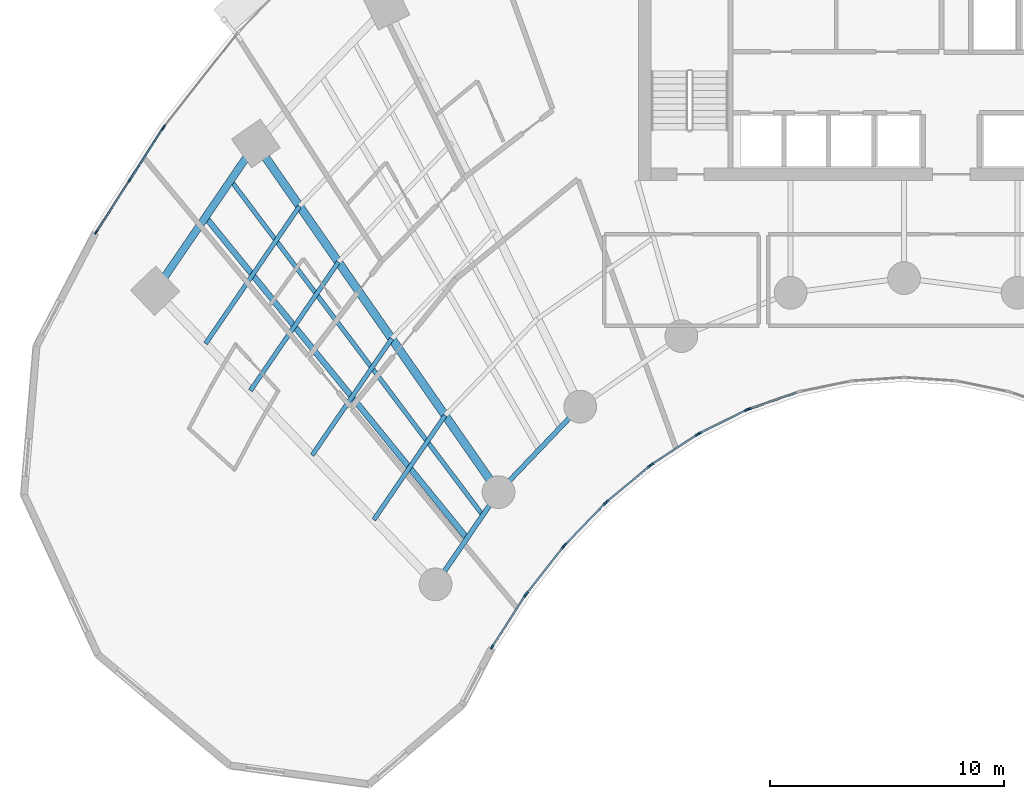
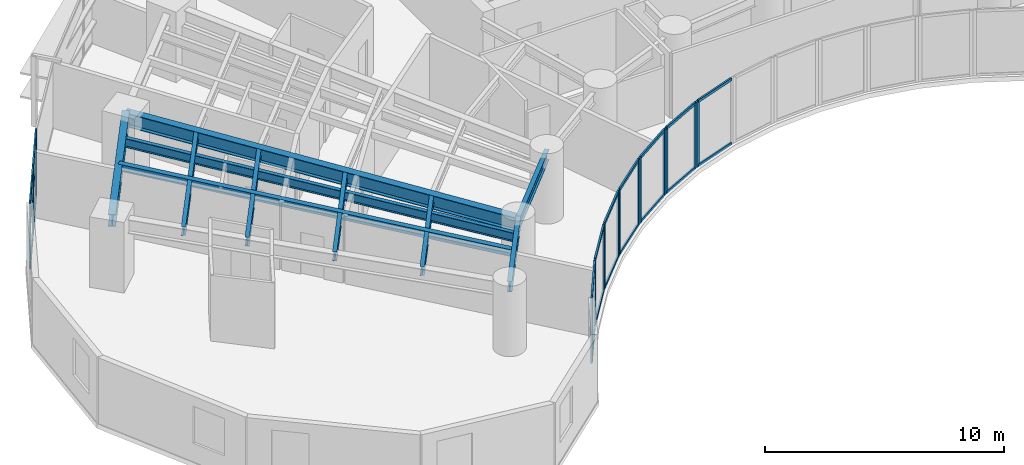
# One storey, part 2 of 17: 37 members, 10 beams, 9 elements without a shape of their own.
"""IFC4 building model written with IfcOpenShell, lengths in metres."""

import ifcopenshell
import ifcopenshell.guid

model = None  # the IFC model being written
_history = None  # IfcOwnerHistory: only IFC2X3 demands one
_inside = {}  # id of a spatial element -> (the spatial element, [elements in it])
_under = {}  # id of a project, library or spatial element -> (it, [spatial elements below it])
_declared = {}  # id of a project -> (the project, [libraries it declares])
_typed = {}  # id of a type object -> (the type object, [elements of that type])
_made_of = {}  # id of a material, layer set ... -> (it, [elements and type objects made of it])


def new_model(schema):
    """Start an empty IFC model of exactly this schema.

    Asked for "IFC4X3", IfcOpenShell would pick the latest addendum, in which some entities
    have other attributes; the version numbers below select the first issue.
    IFC2X3 requires an IfcOwnerHistory on every rooted entity: one is made here for all.
    """
    global model, _history
    if schema == "IFC4X3":
        model = ifcopenshell.file(schema_version=(4, 3, 0, 0))
    else:
        model = ifcopenshell.file(schema=schema)
    _inside.clear()
    _under.clear()
    _declared.clear()
    _typed.clear()
    _made_of.clear()
    _history = None
    if model.schema == "IFC2X3":
        org = make("IfcOrganization", Name="unknown")
        user = make(
            "IfcPersonAndOrganization",
            ThePerson=make("IfcPerson", FamilyName="unknown"),
            TheOrganization=org,
        )
        app = make(
            "IfcApplication",
            ApplicationDeveloper=org,
            Version="unknown",
            ApplicationFullName="unknown",
            ApplicationIdentifier="unknown",
        )
        _history = make(
            "IfcOwnerHistory",
            OwningUser=user,
            OwningApplication=app,
            ChangeAction="ADDED",
            CreationDate=0,
        )
    return model


def make(cls, **values):
    """One entity of the class cls with the attributes given. An attribute that is None is left unset."""
    return model.create_entity(
        cls, **{name: value for name, value in values.items() if value is not None}
    )


def rooted(cls, **values):
    """An entity with a GlobalId (a new one), such as an element, a storey or a relation."""
    return make(cls, GlobalId=ifcopenshell.guid.new(), OwnerHistory=_history, **values)


def si_unit(unit_type, name, prefix=None):
    """IfcSIUnit, for example si_unit("LENGTHUNIT", "METRE", prefix="MILLI")."""
    return make("IfcSIUnit", UnitType=unit_type, Prefix=prefix, Name=name)


def assignment(units):
    """IfcUnitAssignment: the units of a project."""
    return None if units is None else make("IfcUnitAssignment", Units=units)


def point(xyz):
    """IfcCartesianPoint."""
    return None if xyz is None else make("IfcCartesianPoint", Coordinates=xyz)


def direction(xyz):
    """IfcDirection."""
    return None if xyz is None else make("IfcDirection", DirectionRatios=xyz)


def frame(location, z_axis=None, x_axis=None):
    """IfcAxis2Placement3D, a coordinate frame: its origin and axes. An axis left out is left unset."""
    return make(
        "IfcAxis2Placement3D",
        Location=point(location),
        Axis=direction(z_axis),
        RefDirection=direction(x_axis),
    )


def frame_2d(location, x_axis=None):
    """IfcAxis2Placement2D, a coordinate frame in the plane: its origin and x axis."""
    return make(
        "IfcAxis2Placement2D", Location=point(location), RefDirection=direction(x_axis)
    )


def origin():
    """The frame at (0, 0, 0) with its axes left unset."""
    return frame((0.0, 0.0, 0.0))


def origin_2d():
    """The frame at (0, 0) in the plane with its x axis left unset."""
    return frame_2d((0.0, 0.0))


def place(relative_to, where):
    """IfcLocalPlacement: puts the frame where relative to a parent placement (None: the world)."""
    return make(
        "IfcLocalPlacement", PlacementRelTo=relative_to, RelativePlacement=where
    )


def context(
    kind, dimensions, precision=None, world=None, true_north=None, identifier=None
):
    """IfcGeometricRepresentationContext, for example the 3D "Model" context."""
    return make(
        "IfcGeometricRepresentationContext",
        ContextIdentifier=identifier,
        ContextType=kind,
        CoordinateSpaceDimension=dimensions,
        Precision=precision,
        WorldCoordinateSystem=world,
        TrueNorth=true_north,
    )


def subcontext(parent, identifier, kind, view, scale=None):
    """IfcGeometricRepresentationSubContext, for example "Body" below "Model"."""
    return make(
        "IfcGeometricRepresentationSubContext",
        ContextIdentifier=identifier,
        ContextType=kind,
        ParentContext=parent,
        TargetScale=scale,
        TargetView=view,
    )


def project(units=None, contexts=None):
    """IfcProject with its units and contexts."""
    return rooted(
        "IfcProject",
        Name="project",
        RepresentationContexts=contexts,
        UnitsInContext=assignment(units),
    )


def spatial(cls, under=None, at=None, **own):
    """A site, building, storey or space (cls), placed at a placement, below another one or the project."""
    s = rooted(cls, ObjectPlacement=at, **own)
    if under is not None:
        _under.setdefault(under.id(), (under, []))[1].append(s)
    return s


def profile(cls, at=None, kind="AREA", **sizes):
    """A parametric profile (cls). Its sizes go by their IFC names, for example OverallWidth=200.0."""
    return make(cls, ProfileType=kind, Position=at, **sizes)


def rectangle(**sizes):
    """IfcRectangleProfileDef."""
    return profile("IfcRectangleProfileDef", **sizes)


def hollow_rectangle(**sizes):
    """IfcRectangleHollowProfileDef."""
    return profile("IfcRectangleHollowProfileDef", **sizes)


def i_section(**sizes):
    """IfcIShapeProfileDef."""
    return profile("IfcIShapeProfileDef", **sizes)


def extrude(swept, where, along, depth):
    """IfcExtrudedAreaSolid: the profile swept, set in the frame where, extruded along a direction by depth."""
    return make(
        "IfcExtrudedAreaSolid",
        SweptArea=swept,
        Position=where,
        ExtrudedDirection=direction(along),
        Depth=depth,
    )


def shape(context_of_items, identifier, shape_type, items):
    """IfcShapeRepresentation: the items that make up one representation, for example the "Body"."""
    return make(
        "IfcShapeRepresentation",
        ContextOfItems=context_of_items,
        RepresentationIdentifier=identifier,
        RepresentationType=shape_type,
        Items=items,
    )


def source(mapping_origin, context_of_items, identifier, shape_type, items):
    """IfcRepresentationMap: a shape defined once, which mapped items show again and again."""
    return make(
        "IfcRepresentationMap",
        MappingOrigin=mapping_origin,
        MappedRepresentation=shape(context_of_items, identifier, shape_type, items),
    )


def transform(
    local_origin,
    x_axis=None,
    y_axis=None,
    z_axis=None,
    scale=None,
    scale2=None,
    scale3=None,
    uniform=True,
):
    """IfcCartesianTransformationOperator3D, or its non-uniform kind. x_axis, y_axis, z_axis: its Axis1, 2, 3."""
    if uniform:
        return make(
            "IfcCartesianTransformationOperator3D",
            Axis1=direction(x_axis),
            Axis2=direction(y_axis),
            LocalOrigin=point(local_origin),
            Scale=scale,
            Axis3=direction(z_axis),
        )
    return make(
        "IfcCartesianTransformationOperator3DnonUniform",
        Axis1=direction(x_axis),
        Axis2=direction(y_axis),
        LocalOrigin=point(local_origin),
        Scale=scale,
        Axis3=direction(z_axis),
        Scale2=scale2,
        Scale3=scale3,
    )


def mapped(mapping_source, mapping_target):
    """IfcMappedItem: shows the shape of a source again, moved by a transform."""
    return make(
        "IfcMappedItem", MappingSource=mapping_source, MappingTarget=mapping_target
    )


def material(Name=None, Category=None):
    """IfcMaterial."""
    return make("IfcMaterial", Name=Name, Category=Category)


def layer(
    of_material, thickness, ventilated=None, Name=None, Category=None, Priority=None
):
    """IfcMaterialLayer: one layer of a wall or slab, of a material (None: an air gap)."""
    return make(
        "IfcMaterialLayer",
        Material=of_material,
        LayerThickness=thickness,
        IsVentilated=ventilated,
        Name=Name,
        Category=Category,
        Priority=Priority,
    )


def layer_set(layers, Name=None):
    """IfcMaterialLayerSet."""
    return make("IfcMaterialLayerSet", MaterialLayers=layers, LayerSetName=Name)


def material_profile(
    of_material, cross_section, Name=None, Category=None, Priority=None
):
    """IfcMaterialProfile: a cross section and its material."""
    return make(
        "IfcMaterialProfile",
        Name=Name,
        Material=of_material,
        Profile=cross_section,
        Priority=Priority,
        Category=Category,
    )


def profile_set(profiles, Name=None, composite=None):
    """IfcMaterialProfileSet."""
    return make(
        "IfcMaterialProfileSet",
        Name=Name,
        MaterialProfiles=profiles,
        CompositeProfile=composite,
    )


def made_of(thing, what):
    """Note that an element or type object is made of a material, layer set ...; save() writes the relation."""
    if what is not None:
        _made_of.setdefault(what.id(), (what, []))[1].append(thing)
    return thing


def type_object(cls, material=None, **own):
    """A type object (cls), such as IfcWallType, which elements share."""
    return made_of(rooted(cls, **own), material)


def type_shapes(of_type, sources):
    """Give a type object the sources (RepresentationMaps) that its elements show as mapped items."""
    of_type.RepresentationMaps = sources


def element(
    cls,
    number,
    at=None,
    inside=None,
    cuts=None,
    type_object=None,
    material=None,
    context=None,
    identifier="Body",
    shape_type=None,
    held_by="IfcProductDefinitionShape",
    body=None,
    shapes=None,
    **own,
):
    """One element of the class cls, such as IfcWall. Its Tag is "e" and its number.

    at: its placement. inside: the storey or other place that contains it. cuts: it is an
    opening in that element (IfcRelVoidsElement). A single representation is given by context,
    identifier, shape_type and body (its items); several are given by shapes. held_by: the class
    of the entity that holds the representations. save() writes the other relations.
    """
    e = rooted(cls, Tag="e%d" % number, ObjectPlacement=at, **own)
    if body is not None:
        shapes = [shape(context, identifier, shape_type, body)]
    if shapes is not None:
        e.Representation = make(held_by, Representations=shapes)
    if inside is not None:
        _inside.setdefault(inside.id(), (inside, []))[1].append(e)
    if cuts is not None:
        rooted(
            "IfcRelVoidsElement", RelatingBuildingElement=cuts, RelatedOpeningElement=e
        )
    if type_object is not None:
        _typed.setdefault(type_object.id(), (type_object, []))[1].append(e)
    return made_of(e, material)


def aggregate(whole, parts):
    """IfcRelAggregates: a whole, such as a stair, and the parts it consists of."""
    return rooted("IfcRelAggregates", RelatingObject=whole, RelatedObjects=parts)


def save(model, path):
    """Write the relations noted so far, then the file.

    IfcRelAggregates (storeys below a building ...), IfcRelContainedInSpatialStructure (elements
    in a storey), IfcRelDefinesByType, IfcRelAssociatesMaterial and IfcRelDeclares: one each for
    every whole, place, type object, material and project.
    """
    for whole, parts in _under.values():
        aggregate(whole, parts)
    for where, things in _inside.values():
        rooted(
            "IfcRelContainedInSpatialStructure",
            RelatedElements=things,
            RelatingStructure=where,
        )
    for kind, things in _typed.values():
        rooted("IfcRelDefinesByType", RelatedObjects=things, RelatingType=kind)
    for what, things in _made_of.values():
        rooted("IfcRelAssociatesMaterial", RelatedObjects=things, RelatingMaterial=what)
    for by, libraries in _declared.values():
        rooted("IfcRelDeclares", RelatingContext=by, RelatedDefinitions=libraries)
    model.write(path)


model = new_model("IFC4")

# Units and contexts
model_context = context("Model", 3, precision=1e-05, world=origin(), true_north=direction((0.0, 1.0)))
body_context = subcontext(model_context, "Body", "Model", "MODEL_VIEW")
ifc_project = project(units=[si_unit("LENGTHUNIT", "METRE"), si_unit("AREAUNIT", "SQUARE_METRE"), si_unit("VOLUMEUNIT", "CUBIC_METRE"), si_unit("PLANEANGLEUNIT", "RADIAN"), si_unit("MASSUNIT", "GRAM", prefix="KILO")], contexts=[model_context])

# Site, building, storey
site_placement = place(None, origin())
site = spatial("IfcSite", under=ifc_project, at=site_placement, CompositionType="ELEMENT")
building_placement = place(site_placement, origin())
building = spatial("IfcBuilding", under=site, at=building_placement, Name="Breltana Convention Tower", CompositionType="ELEMENT")
storey_placement = place(building_placement, frame((0.0, 0.0, 75.0)))
storey = spatial("IfcBuildingStorey", under=building, at=storey_placement, Name="L17", CompositionType="ELEMENT", Elevation=75.0)

# Beams
ifc_material_1 = material(Name="Steel ASTM A992 Grade 50", Category="steel")
ifc_material_profile_1 = material_profile(ifc_material_1, i_section(OverallWidth=0.323974609375, OverallDepth=0.611083984375, WebThickness=0.0126953125, FlangeThickness=0.01904296875, at=origin_2d()), Name="W24X104")
ifc_profile_set_1 = profile_set([ifc_material_profile_1], Name="Steel ASTM A992 Grade 50")
beam_type_1 = type_object("IfcBeamType", Name="BM-SP-W24X104", PredefinedType="SPANDREL", material=ifc_profile_set_1)
shared_shape_1 = source(origin(), body_context, "Body", "SweptSolid", [
    extrude(i_section(OverallWidth=0.323974609375, OverallDepth=0.611083984375, WebThickness=0.0126953125, FlangeThickness=0.01904296875, at=origin_2d()), origin(), (0.0, 0.0, 1.0), 7.625),
])
type_shapes(beam_type_1, [shared_shape_1])
beam_1_placement = place(storey_placement, frame((16.0068359375, 55.494384765625, 3.054443359375), z_axis=(0.564452031902, 0.825465870694, 0.0), x_axis=(-0.825465870694, 0.564452031902, 0.0)))
element("IfcBeam", 1, at=beam_1_placement, inside=storey, type_object=beam_type_1, Name="L17 Outer Spandrel Beam 01", PredefinedType="SPANDREL", context=body_context, shape_type="MappedRepresentation", body=[
    mapped(shared_shape_1, transform((0.0, 0.0, 0.0), scale=1.0)),
])
ifc_material_profile_2 = material_profile(ifc_material_1, i_section(OverallWidth=0.35498046875, OverallDepth=0.696044921875, WebThickness=0.015380859375, FlangeThickness=0.02490234375, at=origin_2d()), Name="W27X146")
ifc_profile_set_2 = profile_set([ifc_material_profile_2], Name="Steel ASTM A992 Grade 50")
beam_type_2 = type_object("IfcBeamType", Name="BM-RG-W27X146", PredefinedType="USERDEFINED", material=ifc_profile_set_2)
shared_shape_2 = source(origin(), body_context, "Body", "SweptSolid", [
    extrude(i_section(OverallWidth=0.35498046875, OverallDepth=0.696044921875, WebThickness=0.015380859375, FlangeThickness=0.02490234375, at=origin_2d()), origin(), (0.0, 0.0, 1.0), 18.1484375),
])
beam_2_placement = place(storey_placement, frame((30.67724609375, 46.892333984375, 3.011962890625), z_axis=(-0.571207556098, 0.820805657788, 0.0), x_axis=(-0.820805657788, -0.571207556098, 0.0)))
element("IfcBeam", 2, at=beam_2_placement, inside=storey, type_object=beam_type_2, Name="L17 Radial Floor Girder R02", ObjectType="GIRDER", PredefinedType="USERDEFINED", context=body_context, shape_type="MappedRepresentation", body=[
    mapped(shared_shape_2, transform((0.0, 0.0, 0.0), scale=1.0)),
])
ifc_material_profile_3 = material_profile(ifc_material_1, i_section(OverallWidth=0.2099609375, OverallDepth=0.537109375, WebThickness=0.010986328125, FlangeThickness=0.017333984375, at=origin_2d()), Name="W21X68")
ifc_profile_set_3 = profile_set([ifc_material_profile_3], Name="Steel ASTM A992 Grade 50")
beam_type_3 = type_object("IfcBeamType", Name="BM-BM-W21X68", PredefinedType="BEAM", material=ifc_profile_set_3)
shared_shape_3 = source(origin(), body_context, "Body", "SweptSolid", [
    extrude(i_section(OverallWidth=0.2099609375, OverallDepth=0.537109375, WebThickness=0.010986328125, FlangeThickness=0.017333984375, at=origin_2d()), origin(), (0.0, 0.0, 1.0), 4.770263671875),
])
beam_3_placement = place(storey_placement, frame((27.984619140625, 42.95458984375, 3.091552734375), z_axis=(0.564452719055, 0.82546540082, 0.0), x_axis=(-0.82546540082, 0.564452719055, 0.0)))
element("IfcBeam", 3, at=beam_3_placement, inside=storey, type_object=beam_type_3, Name="L17 Inner Ring Beam 01", PredefinedType="BEAM", context=body_context, shape_type="MappedRepresentation", body=[
    mapped(shared_shape_3, transform((0.0, 0.0, 0.0), scale=1.0)),
])
shared_shape_4 = source(origin(), body_context, "Body", "SweptSolid", [
    extrude(i_section(OverallWidth=0.2099609375, OverallDepth=0.537109375, WebThickness=0.010986328125, FlangeThickness=0.017333984375, at=origin_2d()), origin(), (0.0, 0.0, 1.0), 5.05126953125),
])
beam_4_placement = place(storey_placement, frame((30.67724609375, 46.892333984375, 3.091552734375), z_axis=(0.690729753845, 0.7231129975, 0.0), x_axis=(-0.7231129975, 0.690729753845, 0.0)))
element("IfcBeam", 4, at=beam_4_placement, inside=storey, type_object=beam_type_3, Name="L17 Inner Ring Beam 02", PredefinedType="BEAM", context=body_context, shape_type="MappedRepresentation", body=[
    mapped(shared_shape_4, transform((0.0, 0.0, 0.0), scale=1.0)),
])
ifc_material_profile_4 = material_profile(ifc_material_1, i_section(OverallWidth=0.19091796875, OverallDepth=0.4599609375, WebThickness=0.010009765625, FlangeThickness=0.01611328125, at=origin_2d()), Name="W18X55")
ifc_profile_set_4 = profile_set([ifc_material_profile_4], Name="Steel ASTM A992 Grade 50")
beam_type_4 = type_object("IfcBeamType", Name="BM-JSG-07", PredefinedType="JOIST", material=ifc_profile_set_4)
shared_shape_5 = source(origin(), body_context, "Body", "SweptSolid", [
    extrude(i_section(OverallWidth=0.19091796875, OverallDepth=0.4599609375, WebThickness=0.010009765625, FlangeThickness=0.01611328125, at=origin_2d()), origin(), (0.0, 0.0, 1.0), 5.3984375),
])
type_shapes(beam_type_4, [shared_shape_5])
beam_5_placement = place(storey_placement, frame((25.349365234375, 45.71337890625, 3.1298828125), z_axis=(0.564440705434, 0.825473615599, 0.0), x_axis=(-0.825473615599, 0.564440705434, 0.0)))
element("IfcBeam", 5, at=beam_5_placement, inside=storey, type_object=beam_type_4, Name="L17 Composite Floor Joist 01.1", PredefinedType="JOIST", context=body_context, shape_type="MappedRepresentation", body=[
    mapped(shared_shape_5, transform((0.0, 0.0, 0.0), scale=1.0)),
])
shared_shape_6 = source(origin(), body_context, "Body", "SweptSolid", [
    extrude(i_section(OverallWidth=0.19091796875, OverallDepth=0.4599609375, WebThickness=0.010009765625, FlangeThickness=0.01611328125, at=origin_2d()), origin(), (0.0, 0.0, 1.0), 6.0263671875),
])
beam_6_placement = place(storey_placement, frame((22.71435546875, 48.47216796875, 3.1298828125), z_axis=(0.564450071397, 0.825467211281, 0.0), x_axis=(-0.825467211281, 0.564450071397, 0.0)))
element("IfcBeam", 6, at=beam_6_placement, inside=storey, type_object=beam_type_4, Name="L17 Composite Floor Joist 01.2", PredefinedType="JOIST", context=body_context, shape_type="MappedRepresentation", body=[
    mapped(shared_shape_6, transform((0.0, 0.0, 0.0), scale=1.0)),
])
shared_shape_7 = source(origin(), body_context, "Body", "SweptSolid", [
    extrude(i_section(OverallWidth=0.19091796875, OverallDepth=0.4599609375, WebThickness=0.010009765625, FlangeThickness=0.01611328125, at=origin_2d()), origin(), (0.0, 0.0, 1.0), 6.654541015625),
])
beam_7_placement = place(storey_placement, frame((20.0791015625, 51.23095703125, 3.1298828125), z_axis=(0.564482668195, 0.82544492082, 0.0), x_axis=(-0.82544492082, 0.564482668195, 0.0)))
element("IfcBeam", 7, at=beam_7_placement, inside=storey, type_object=beam_type_4, Name="L17 Composite Floor Joist 01.3", PredefinedType="JOIST", context=body_context, shape_type="MappedRepresentation", body=[
    mapped(shared_shape_7, transform((0.0, 0.0, 0.0), scale=1.0)),
])
shared_shape_8 = source(origin(), body_context, "Body", "SweptSolid", [
    extrude(i_section(OverallWidth=0.19091796875, OverallDepth=0.4599609375, WebThickness=0.010009765625, FlangeThickness=0.01611328125, at=origin_2d()), origin(), (0.0, 0.0, 1.0), 7.111328125),
])
beam_8_placement = place(storey_placement, frame((18.162841796875, 53.2373046875, 3.1298828125), z_axis=(0.564446356178, 0.825469751715, 0.0), x_axis=(-0.825469751715, 0.564446356178, 0.0)))
element("IfcBeam", 8, at=beam_8_placement, inside=storey, type_object=beam_type_4, Name="L17 Composite Floor Joist 01.4", PredefinedType="JOIST", context=body_context, shape_type="MappedRepresentation", body=[
    mapped(shared_shape_8, transform((0.0, 0.0, 0.0), scale=1.0)),
])
ifc_material_profile_5 = material_profile(ifc_material_1, hollow_rectangle(XDim=0.25, YDim=0.35009765625, WallThickness=0.011962890625, at=origin_2d()), Name="RHS350X250X12")
ifc_profile_set_5 = profile_set([ifc_material_profile_5], Name="Steel ASTM A992 Grade 50")
beam_type_5 = type_object("IfcBeamType", Name="BM-JSG-12", PredefinedType="JOIST", material=ifc_profile_set_5)
shared_shape_9 = source(origin(), body_context, "Body", "SweptSolid", [
    extrude(hollow_rectangle(XDim=0.25, YDim=0.35009765625, WallThickness=0.011962890625, at=origin_2d()), origin(), (0.0, 0.0, 1.0), 17.691650390625),
])
type_shapes(beam_type_5, [shared_shape_9])
beam_9_placement = place(storey_placement, frame((29.330810546875, 44.923583984375, 3.18505859375), z_axis=(-0.631476958478, 0.775394642044, 0.0), x_axis=(-0.775394642044, -0.631476958478, 0.0)))
element("IfcBeam", 9, at=beam_9_placement, inside=storey, type_object=beam_type_5, Name="L17 Mid-Bay Radial Trimmer 01", PredefinedType="JOIST", context=body_context, shape_type="MappedRepresentation", body=[
    mapped(shared_shape_9, transform((0.0, 0.0, 0.0), scale=1.0)),
])
shared_shape_10 = source(origin(), body_context, "Body", "SweptSolid", [
    extrude(i_section(OverallWidth=0.19091796875, OverallDepth=0.4599609375, WebThickness=0.010009765625, FlangeThickness=0.01611328125, at=origin_2d()), origin(), (0.0, 0.0, 1.0), 17.9072265625),
])
beam_10_placement = place(storey_placement, frame((30.00390625, 45.907958984375, 3.1298828125), z_axis=(-0.601382105028, 0.798961553363, 0.0), x_axis=(-0.798961553363, -0.601382105028, 0.0)))
element("IfcBeam", 10, at=beam_10_placement, inside=storey, type_object=beam_type_4, Name="L17 Quarter-Bay Radial Trimmer 01", PredefinedType="JOIST", context=body_context, shape_type="MappedRepresentation", body=[
    mapped(shared_shape_10, transform((0.0, 0.0, 0.0), scale=1.0)),
])

# Curtain wall, members
ifc_material_2 = material(Name="Aluminium Anodised Bronze Frame", Category="aluminium")
ifc_layer_1 = layer(ifc_material_2, 0.18994140625, Name="Aluminium Anodised Bronze Frame")
ifc_layer_set_1 = layer_set([ifc_layer_1], Name="Aluminium Anodised Bronze Frame")
curtain_wall_type_1 = type_object("IfcCurtainWallType", Name="CW-SYS-1", PredefinedType="NOTDEFINED", material=ifc_layer_set_1)
curtain_wall_1_placement = place(storey_placement, origin())
curtain_wall_1 = element("IfcCurtainWall", 11, at=curtain_wall_1_placement, inside=storey, type_object=curtain_wall_type_1, Name="L17 inner south-court glazing 16", PredefinedType="NOTDEFINED")
ifc_material_3 = material(Name="Aluminium Anodised Bronze", Category="aluminium")
ifc_material_profile_6 = material_profile(ifc_material_3, rectangle(XDim=0.080078125, YDim=0.139892578125, at=origin_2d()), Name="CWT-80X140")
ifc_profile_set_6 = profile_set([ifc_material_profile_6], Name="Aluminium Anodised Bronze")
member_type_1 = type_object("IfcMemberType", Name="CWT-140", PredefinedType="USERDEFINED", material=ifc_profile_set_6)
shared_shape_11 = source(origin(), body_context, "Body", "SweptSolid", [
    extrude(rectangle(XDim=0.080078125, YDim=0.139892578125, at=origin_2d()), origin(), (0.0, 0.0, 1.0), 2.38720703125),
])
type_shapes(member_type_1, [shared_shape_11])
member_1_placement = place(storey_placement, frame((35.2021484375, 46.385009765625, 0.0400390625), z_axis=(-0.694623715393, -0.719373264734, 0.0), x_axis=(0.719373264734, -0.694623715393, 0.0)))
member_1 = element("IfcMember", 12, at=member_1_placement, type_object=member_type_1, Name="CW-01 transom 1.1", ObjectType="TRANSOM", PredefinedType="USERDEFINED", context=body_context, shape_type="MappedRepresentation", body=[
    mapped(shared_shape_11, transform((0.0, 0.0, 0.0), scale=1.0)),
])
member_2_placement = place(storey_placement, frame((35.2021484375, 46.385009765625, 3.320068359375), z_axis=(-0.694623715393, -0.719373264734, 0.0), x_axis=(0.719373264734, -0.694623715393, 0.0)))
member_2 = element("IfcMember", 13, at=member_2_placement, type_object=member_type_1, Name="CW-01 transom 1.2", ObjectType="TRANSOM", PredefinedType="USERDEFINED", context=body_context, shape_type="MappedRepresentation", body=[
    mapped(shared_shape_11, transform((0.0, 0.0, 0.0), scale=1.0)),
])

curtain_wall_2_placement = place(storey_placement, origin())
curtain_wall_2 = element("IfcCurtainWall", 14, at=curtain_wall_2_placement, inside=storey, type_object=curtain_wall_type_1, Name="L17 inner south-court glazing 15", PredefinedType="NOTDEFINED")
shared_shape_12 = source(origin(), body_context, "Body", "SweptSolid", [
    extrude(rectangle(XDim=0.080078125, YDim=0.139892578125, at=origin_2d()), origin(), (0.0, 0.0, 1.0), 2.312255859375),
])
member_3_placement = place(storey_placement, frame((37.10888671875, 47.988037109375, 0.0400390625), z_axis=(-0.767900974507, -0.640568570374, 0.0), x_axis=(0.640568570374, -0.767900974507, 0.0)))
member_3 = element("IfcMember", 15, at=member_3_placement, type_object=member_type_1, Name="CW-01 transom 1.1", ObjectType="TRANSOM", PredefinedType="USERDEFINED", context=body_context, shape_type="MappedRepresentation", body=[
    mapped(shared_shape_12, transform((0.0, 0.0, 0.0), scale=1.0)),
])
member_4_placement = place(storey_placement, frame((37.10888671875, 47.988037109375, 3.320068359375), z_axis=(-0.767900974507, -0.640568570374, 0.0), x_axis=(0.640568570374, -0.767900974507, 0.0)))
member_4 = element("IfcMember", 16, at=member_4_placement, type_object=member_type_1, Name="CW-01 transom 1.2", ObjectType="TRANSOM", PredefinedType="USERDEFINED", context=body_context, shape_type="MappedRepresentation", body=[
    mapped(shared_shape_12, transform((0.0, 0.0, 0.0), scale=1.0)),
])

curtain_wall_3_placement = place(storey_placement, origin())
curtain_wall_3 = element("IfcCurtainWall", 17, at=curtain_wall_3_placement, inside=storey, type_object=curtain_wall_type_1, Name="L17 inner south-court glazing 14", PredefinedType="NOTDEFINED")
shared_shape_13 = source(origin(), body_context, "Body", "SweptSolid", [
    extrude(rectangle(XDim=0.080078125, YDim=0.139892578125, at=origin_2d()), origin(), (0.0, 0.0, 1.0), 2.2421875),
])
member_5_placement = place(storey_placement, frame((39.128173828125, 49.325927734375, 0.0400390625), z_axis=(-0.835982353773, -0.548756324957, 0.0), x_axis=(0.548756324957, -0.835982353773, 0.0)))
member_5 = element("IfcMember", 18, at=member_5_placement, type_object=member_type_1, Name="CW-01 transom 1.1", ObjectType="TRANSOM", PredefinedType="USERDEFINED", context=body_context, shape_type="MappedRepresentation", body=[
    mapped(shared_shape_13, transform((0.0, 0.0, 0.0), scale=1.0)),
])
member_6_placement = place(storey_placement, frame((39.128173828125, 49.325927734375, 3.320068359375), z_axis=(-0.835982353773, -0.548756324957, 0.0), x_axis=(0.548756324957, -0.835982353773, 0.0)))
member_6 = element("IfcMember", 19, at=member_6_placement, type_object=member_type_1, Name="CW-01 transom 1.2", ObjectType="TRANSOM", PredefinedType="USERDEFINED", context=body_context, shape_type="MappedRepresentation", body=[
    mapped(shared_shape_13, transform((0.0, 0.0, 0.0), scale=1.0)),
])

curtain_wall_4_placement = place(storey_placement, origin())
curtain_wall_4 = element("IfcCurtainWall", 20, at=curtain_wall_4_placement, inside=storey, type_object=curtain_wall_type_1, Name="L17 inner south-court glazing 13", PredefinedType="NOTDEFINED")
shared_shape_14 = source(origin(), body_context, "Body", "SweptSolid", [
    extrude(rectangle(XDim=0.080078125, YDim=0.139892578125, at=origin_2d()), origin(), (0.0, 0.0, 1.0), 2.180908203125),
])
member_7_placement = place(storey_placement, frame((41.239501953125, 50.384765625, 0.0400390625), z_axis=(-0.895922266369, -0.444210865045, 0.0), x_axis=(0.444210865045, -0.895922266369, 0.0)))
member_7 = element("IfcMember", 21, at=member_7_placement, type_object=member_type_1, Name="CW-01 transom 1.1", ObjectType="TRANSOM", PredefinedType="USERDEFINED", context=body_context, shape_type="MappedRepresentation", body=[
    mapped(shared_shape_14, transform((0.0, 0.0, 0.0), scale=1.0)),
])
member_8_placement = place(storey_placement, frame((41.239501953125, 50.384765625, 3.320068359375), z_axis=(-0.895922266369, -0.444210865045, 0.0), x_axis=(0.444210865045, -0.895922266369, 0.0)))
member_8 = element("IfcMember", 22, at=member_8_placement, type_object=member_type_1, Name="CW-01 transom 1.2", ObjectType="TRANSOM", PredefinedType="USERDEFINED", context=body_context, shape_type="MappedRepresentation", body=[
    mapped(shared_shape_14, transform((0.0, 0.0, 0.0), scale=1.0)),
])

curtain_wall_5_placement = place(storey_placement, origin())
curtain_wall_5 = element("IfcCurtainWall", 23, at=curtain_wall_5_placement, inside=storey, type_object=curtain_wall_type_1, Name="L17 inner south-court glazing 17", PredefinedType="NOTDEFINED")
shared_shape_15 = source(origin(), body_context, "Body", "SweptSolid", [
    extrude(rectangle(XDim=0.080078125, YDim=0.139892578125, at=origin_2d()), origin(), (0.0, 0.0, 1.0), 2.4638671875),
])
member_9_placement = place(storey_placement, frame((33.427001953125, 44.533447265625, 0.0400390625), z_axis=(-0.618184689608, -0.786032880695, 0.0), x_axis=(0.786032880695, -0.618184689608, 0.0)))
member_9 = element("IfcMember", 24, at=member_9_placement, type_object=member_type_1, Name="CW-01 transom 1.1", ObjectType="TRANSOM", PredefinedType="USERDEFINED", context=body_context, shape_type="MappedRepresentation", body=[
    mapped(shared_shape_15, transform((0.0, 0.0, 0.0), scale=1.0)),
])
member_10_placement = place(storey_placement, frame((33.427001953125, 44.533447265625, 3.320068359375), z_axis=(-0.618184689608, -0.786032880695, 0.0), x_axis=(0.786032880695, -0.618184689608, 0.0)))
member_10 = element("IfcMember", 25, at=member_10_placement, type_object=member_type_1, Name="CW-01 transom 1.2", ObjectType="TRANSOM", PredefinedType="USERDEFINED", context=body_context, shape_type="MappedRepresentation", body=[
    mapped(shared_shape_15, transform((0.0, 0.0, 0.0), scale=1.0)),
])

curtain_wall_6_placement = place(storey_placement, origin())
curtain_wall_6 = element("IfcCurtainWall", 26, at=curtain_wall_6_placement, inside=storey, type_object=curtain_wall_type_1, Name="L17 inner south-court glazing 18", PredefinedType="NOTDEFINED")
shared_shape_16 = source(origin(), body_context, "Body", "SweptSolid", [
    extrude(rectangle(XDim=0.080078125, YDim=0.139892578125, at=origin_2d()), origin(), (0.0, 0.0, 1.0), 2.53955078125),
])
member_11_placement = place(storey_placement, frame((31.801025390625, 42.452392578125, 0.0400390625), z_axis=(-0.540174413174, -0.841553090038, 0.0), x_axis=(0.841553090038, -0.540174413174, 0.0)))
member_11 = element("IfcMember", 27, at=member_11_placement, type_object=member_type_1, Name="CW-01 transom 1.1", ObjectType="TRANSOM", PredefinedType="USERDEFINED", context=body_context, shape_type="MappedRepresentation", body=[
    mapped(shared_shape_16, transform((0.0, 0.0, 0.0), scale=1.0)),
])
member_12_placement = place(storey_placement, frame((31.801025390625, 42.452392578125, 3.320068359375), z_axis=(-0.540174413174, -0.841553090038, 0.0), x_axis=(0.841553090038, -0.540174413174, 0.0)))
member_12 = element("IfcMember", 28, at=member_12_placement, type_object=member_type_1, Name="CW-01 transom 1.2", ObjectType="TRANSOM", PredefinedType="USERDEFINED", context=body_context, shape_type="MappedRepresentation", body=[
    mapped(shared_shape_16, transform((0.0, 0.0, 0.0), scale=1.0)),
])

# Curtain wall, member
curtain_wall_7_placement = place(storey_placement, origin())
curtain_wall_7 = element("IfcCurtainWall", 29, at=curtain_wall_7_placement, inside=storey, type_object=curtain_wall_type_1, Name="L17 inner south-court glazing 12", PredefinedType="NOTDEFINED")
ifc_material_profile_7 = material_profile(ifc_material_3, rectangle(XDim=0.080078125, YDim=0.199951171875, at=origin_2d()), Name="CWM-80X200")
ifc_profile_set_7 = profile_set([ifc_material_profile_7], Name="Aluminium Anodised Bronze")
member_type_2 = type_object("IfcMemberType", Name="CWM-200", PredefinedType="MULLION", material=ifc_profile_set_7)
shared_shape_17 = source(origin(), body_context, "Body", "SweptSolid", [
    extrude(rectangle(XDim=0.080078125, YDim=0.199951171875, at=origin_2d()), origin(), (0.0, 0.0, 1.0), 3.360107421875),
])
member_13_placement = place(storey_placement, frame((41.3701171875, 50.442138671875, 0.0), z_axis=(0.0, 0.0, 1.0), x_axis=(0.327413341714, -0.944881211406, 0.0)))
member_13 = element("IfcMember", 30, at=member_13_placement, type_object=member_type_2, Name="CW-01 mullion 2", PredefinedType="MULLION", context=body_context, shape_type="MappedRepresentation", body=[
    mapped(shared_shape_17, transform((0.0, 0.0, 0.0), scale=1.0)),
])

# Member
member_14_placement = place(storey_placement, frame((41.275390625, 50.40234375, 0.0), z_axis=(0.0, 0.0, 1.0), x_axis=(0.444117987602, -0.895968310315, 0.0)))
member_14 = element("IfcMember", 31, at=member_14_placement, type_object=member_type_2, Name="CW-01 mullion 1", PredefinedType="MULLION", context=body_context, shape_type="MappedRepresentation", body=[
    mapped(shared_shape_17, transform((0.0, 0.0, 0.0), scale=1.0)),
])

member_15_placement = place(storey_placement, frame((39.249755859375, 49.3984375, 0.0), z_axis=(0.0, 0.0, 1.0), x_axis=(0.444117987602, -0.895968310315, 0.0)))
member_15 = element("IfcMember", 32, at=member_15_placement, type_object=member_type_2, Name="CW-01 mullion 2", PredefinedType="MULLION", context=body_context, shape_type="MappedRepresentation", body=[
    mapped(shared_shape_17, transform((0.0, 0.0, 0.0), scale=1.0)),
])

aggregate(curtain_wall_4, [member_14, member_15, member_7, member_8])

member_16_placement = place(storey_placement, frame((39.16162109375, 49.347900390625, 0.0), z_axis=(0.0, 0.0, 1.0), x_axis=(0.548778278441, -0.835967942634, 0.0)))
member_16 = element("IfcMember", 33, at=member_16_placement, type_object=member_type_2, Name="CW-01 mullion 1", PredefinedType="MULLION", context=body_context, shape_type="MappedRepresentation", body=[
    mapped(shared_shape_17, transform((0.0, 0.0, 0.0), scale=1.0)),
])

member_17_placement = place(storey_placement, frame((37.220458984375, 48.073486328125, 0.0), z_axis=(0.0, 0.0, 1.0), x_axis=(0.548778278441, -0.835967942634, 0.0)))
member_17 = element("IfcMember", 34, at=member_17_placement, type_object=member_type_2, Name="CW-01 mullion 2", PredefinedType="MULLION", context=body_context, shape_type="MappedRepresentation", body=[
    mapped(shared_shape_17, transform((0.0, 0.0, 0.0), scale=1.0)),
])

aggregate(curtain_wall_3, [member_16, member_17, member_5, member_6])

member_18_placement = place(storey_placement, frame((37.1396484375, 48.013671875, 0.0), z_axis=(0.0, 0.0, 1.0), x_axis=(0.640522524458, -0.767939382804, 0.0)))
member_18 = element("IfcMember", 35, at=member_18_placement, type_object=member_type_2, Name="CW-01 mullion 1", PredefinedType="MULLION", context=body_context, shape_type="MappedRepresentation", body=[
    mapped(shared_shape_17, transform((0.0, 0.0, 0.0), scale=1.0)),
])

member_19_placement = place(storey_placement, frame((35.302734375, 46.481201171875, 0.0), z_axis=(0.0, 0.0, 1.0), x_axis=(0.640522524458, -0.767939382804, 0.0)))
member_19 = element("IfcMember", 36, at=member_19_placement, type_object=member_type_2, Name="CW-01 mullion 2", PredefinedType="MULLION", context=body_context, shape_type="MappedRepresentation", body=[
    mapped(shared_shape_17, transform((0.0, 0.0, 0.0), scale=1.0)),
])

aggregate(curtain_wall_2, [member_18, member_19, member_3, member_4])

member_20_placement = place(storey_placement, frame((35.22998046875, 46.413818359375, 0.0), z_axis=(0.0, 0.0, 1.0), x_axis=(0.719384548773, -0.694612029111, 0.0)))
member_20 = element("IfcMember", 37, at=member_20_placement, type_object=member_type_2, Name="CW-01 mullion 1", PredefinedType="MULLION", context=body_context, shape_type="MappedRepresentation", body=[
    mapped(shared_shape_17, transform((0.0, 0.0, 0.0), scale=1.0)),
])

member_21_placement = place(storey_placement, frame((33.51611328125, 44.638916015625, 0.0), z_axis=(0.0, 0.0, 1.0), x_axis=(0.719384548773, -0.694612029111, 0.0)))
member_21 = element("IfcMember", 38, at=member_21_placement, type_object=member_type_2, Name="CW-01 mullion 2", PredefinedType="MULLION", context=body_context, shape_type="MappedRepresentation", body=[
    mapped(shared_shape_17, transform((0.0, 0.0, 0.0), scale=1.0)),
])

aggregate(curtain_wall_1, [member_20, member_21, member_1, member_2])

member_22_placement = place(storey_placement, frame((33.45166015625, 44.56494140625, 0.0), z_axis=(0.0, 0.0, 1.0), x_axis=(0.786057762734, -0.61815305034, 0.0)))
member_22 = element("IfcMember", 39, at=member_22_placement, type_object=member_type_2, Name="CW-01 mullion 1", PredefinedType="MULLION", context=body_context, shape_type="MappedRepresentation", body=[
    mapped(shared_shape_17, transform((0.0, 0.0, 0.0), scale=1.0)),
])

member_23_placement = place(storey_placement, frame((31.87890625, 42.565185546875, 0.0), z_axis=(0.0, 0.0, 1.0), x_axis=(0.786057762734, -0.61815305034, 0.0)))
member_23 = element("IfcMember", 40, at=member_23_placement, type_object=member_type_2, Name="CW-01 mullion 2", PredefinedType="MULLION", context=body_context, shape_type="MappedRepresentation", body=[
    mapped(shared_shape_17, transform((0.0, 0.0, 0.0), scale=1.0)),
])

aggregate(curtain_wall_5, [member_22, member_23, member_9, member_10])

member_24_placement = place(storey_placement, frame((31.82275390625, 42.48583984375, 0.0), z_axis=(0.0, 0.0, 1.0), x_axis=(0.841556194767, -0.540169576197, 0.0)))
member_24 = element("IfcMember", 41, at=member_24_placement, type_object=member_type_2, Name="CW-01 mullion 1", PredefinedType="MULLION", context=body_context, shape_type="MappedRepresentation", body=[
    mapped(shared_shape_17, transform((0.0, 0.0, 0.0), scale=1.0)),
])

member_25_placement = place(storey_placement, frame((30.40771484375, 40.281494140625, 0.0), z_axis=(0.0, 0.0, 1.0), x_axis=(0.841556194767, -0.540169576197, 0.0)))
member_25 = element("IfcMember", 42, at=member_25_placement, type_object=member_type_2, Name="CW-01 mullion 2", PredefinedType="MULLION", context=body_context, shape_type="MappedRepresentation", body=[
    mapped(shared_shape_17, transform((0.0, 0.0, 0.0), scale=1.0)),
])

aggregate(curtain_wall_6, [member_24, member_25, member_11, member_12])

shared_shape_18 = source(origin(), body_context, "Body", "SweptSolid", [
    extrude(rectangle(XDim=0.080078125, YDim=0.139892578125, at=origin_2d()), origin(), (0.0, 0.0, 1.0), 2.131103515625),
])
member_26_placement = place(storey_placement, frame((43.421630859375, 51.153076171875, 0.0400390625), z_axis=(-0.944847069856, -0.327511854112, 0.0), x_axis=(0.327511854112, -0.944847069856, 0.0)))
member_26 = element("IfcMember", 43, at=member_26_placement, type_object=member_type_1, Name="CW-01 transom 1.1", ObjectType="TRANSOM", PredefinedType="USERDEFINED", context=body_context, shape_type="MappedRepresentation", body=[
    mapped(shared_shape_18, transform((0.0, 0.0, 0.0), scale=1.0)),
])

member_27_placement = place(storey_placement, frame((43.421630859375, 51.153076171875, 3.320068359375), z_axis=(-0.944847069856, -0.327511854112, 0.0), x_axis=(0.327511854112, -0.944847069856, 0.0)))
member_27 = element("IfcMember", 44, at=member_27_placement, type_object=member_type_1, Name="CW-01 transom 1.2", ObjectType="TRANSOM", PredefinedType="USERDEFINED", context=body_context, shape_type="MappedRepresentation", body=[
    mapped(shared_shape_18, transform((0.0, 0.0, 0.0), scale=1.0)),
])

aggregate(curtain_wall_7, [member_13, member_26, member_27])

# Curtain wall, members
ifc_layer_2 = layer(ifc_material_2, 0.199951171875, Name="Aluminium Anodised Bronze Frame")
ifc_layer_set_2 = layer_set([ifc_layer_2], Name="Aluminium Anodised Bronze Frame")
curtain_wall_type_2 = type_object("IfcCurtainWallType", Name="CW-SYS-2", PredefinedType="NOTDEFINED", material=ifc_layer_set_2)
curtain_wall_8_placement = place(storey_placement, origin())
curtain_wall_8 = element("IfcCurtainWall", 45, at=curtain_wall_8_placement, inside=storey, type_object=curtain_wall_type_2, Name="L17 outer double-skin inner glazing 1", PredefinedType="NOTDEFINED")
ifc_material_profile_8 = material_profile(ifc_material_3, rectangle(XDim=0.070068359375, YDim=0.175048828125, at=origin_2d()), Name="CWM-70X175")
ifc_profile_set_8 = profile_set([ifc_material_profile_8], Name="Aluminium Anodised Bronze")
member_type_3 = type_object("IfcMemberType", Name="CWM-175", PredefinedType="MULLION", material=ifc_profile_set_8)
shared_shape_19 = source(origin(), body_context, "Body", "SweptSolid", [
    extrude(rectangle(XDim=0.070068359375, YDim=0.175048828125, at=origin_2d()), origin(), (0.0, 0.0, 1.0), 3.360107421875),
])
type_shapes(member_type_3, [shared_shape_19])
member_28_placement = place(storey_placement, frame((13.487060546875, 57.993896484375, 0.0), z_axis=(0.0, 0.0, 1.0), x_axis=(-0.841549039154, 0.540180724109, 0.0)))
member_28 = element("IfcMember", 46, at=member_28_placement, type_object=member_type_3, Name="CW-02 mullion 1", PredefinedType="MULLION", context=body_context, shape_type="MappedRepresentation", body=[
    mapped(shared_shape_19, transform((0.0, 0.0, 0.0), scale=1.0)),
])
member_29_placement = place(storey_placement, frame((14.911865234375, 60.2138671875, 0.0), z_axis=(0.0, 0.0, 1.0), x_axis=(-0.841549039154, 0.540180724109, 0.0)))
member_29 = element("IfcMember", 47, at=member_29_placement, type_object=member_type_3, Name="CW-02 mullion 2", PredefinedType="MULLION", context=body_context, shape_type="MappedRepresentation", body=[
    mapped(shared_shape_19, transform((0.0, 0.0, 0.0), scale=1.0)),
])
member_30_placement = place(storey_placement, frame((16.3369140625, 62.43359375, 0.0), z_axis=(0.0, 0.0, 1.0), x_axis=(-0.841549039154, 0.540180724109, 0.0)))
member_30 = element("IfcMember", 48, at=member_30_placement, type_object=member_type_3, Name="CW-02 mullion 3", PredefinedType="MULLION", context=body_context, shape_type="MappedRepresentation", body=[
    mapped(shared_shape_19, transform((0.0, 0.0, 0.0), scale=1.0)),
])

# Curtain wall, member
curtain_wall_9_placement = place(storey_placement, origin())
curtain_wall_9 = element("IfcCurtainWall", 49, at=curtain_wall_9_placement, inside=storey, type_object=curtain_wall_type_2, Name="L17 outer double-skin inner glazing 2", PredefinedType="NOTDEFINED")
member_31_placement = place(storey_placement, frame((16.37744140625, 62.49072265625, 0.0), z_axis=(0.0, 0.0, 1.0), x_axis=(-0.786057080698, 0.618153917633, 0.0)))
member_31 = element("IfcMember", 50, at=member_31_placement, type_object=member_type_3, Name="CW-02 mullion 1", PredefinedType="MULLION", context=body_context, shape_type="MappedRepresentation", body=[
    mapped(shared_shape_19, transform((0.0, 0.0, 0.0), scale=1.0)),
])
aggregate(curtain_wall_9, [member_31])

# Member
ifc_material_profile_9 = material_profile(ifc_material_3, rectangle(XDim=0.070068359375, YDim=0.1201171875, at=origin_2d()), Name="CWT-70X120")
ifc_profile_set_9 = profile_set([ifc_material_profile_9], Name="Aluminium Anodised Bronze")
member_type_4 = type_object("IfcMemberType", Name="CWT-120", PredefinedType="USERDEFINED", material=ifc_profile_set_9)
shared_shape_20 = source(origin(), body_context, "Body", "SweptSolid", [
    extrude(rectangle(XDim=0.070068359375, YDim=0.1201171875, at=origin_2d()), origin(), (0.0, 0.0, 1.0), 2.56787109375),
])
type_shapes(member_type_4, [shared_shape_20])
member_32_placement = place(storey_placement, frame((13.505859375, 58.0234375, 0.034912109375), z_axis=(0.54022409371, 0.841521199124, 0.0), x_axis=(-0.841521199124, 0.54022409371, 0.0)))
member_32 = element("IfcMember", 51, at=member_32_placement, type_object=member_type_4, Name="CW-02 transom 1.1", ObjectType="TRANSOM", PredefinedType="USERDEFINED", context=body_context, shape_type="MappedRepresentation", body=[
    mapped(shared_shape_20, transform((0.0, 0.0, 0.0), scale=1.0)),
])

member_33_placement = place(storey_placement, frame((13.505859375, 58.0234375, 2.18408203125), z_axis=(0.54022409371, 0.841521199124, 0.0), x_axis=(-0.841521199124, 0.54022409371, 0.0)))
member_33 = element("IfcMember", 52, at=member_33_placement, type_object=member_type_4, Name="CW-02 transom 1.2", ObjectType="TRANSOM", PredefinedType="USERDEFINED", context=body_context, shape_type="MappedRepresentation", body=[
    mapped(shared_shape_20, transform((0.0, 0.0, 0.0), scale=1.0)),
])

member_34_placement = place(storey_placement, frame((13.505859375, 58.0234375, 3.324951171875), z_axis=(0.54022409371, 0.841521199124, 0.0), x_axis=(-0.841521199124, 0.54022409371, 0.0)))
member_34 = element("IfcMember", 53, at=member_34_placement, type_object=member_type_4, Name="CW-02 transom 1.3", ObjectType="TRANSOM", PredefinedType="USERDEFINED", context=body_context, shape_type="MappedRepresentation", body=[
    mapped(shared_shape_20, transform((0.0, 0.0, 0.0), scale=1.0)),
])

member_35_placement = place(storey_placement, frame((14.930908203125, 60.2431640625, 0.034912109375), z_axis=(0.540113540427, 0.841592159806, 0.0), x_axis=(-0.841592159806, 0.540113540427, 0.0)))
member_35 = element("IfcMember", 54, at=member_35_placement, type_object=member_type_4, Name="CW-02 transom 2.1", ObjectType="TRANSOM", PredefinedType="USERDEFINED", context=body_context, shape_type="MappedRepresentation", body=[
    mapped(shared_shape_20, transform((0.0, 0.0, 0.0), scale=1.0)),
])

member_36_placement = place(storey_placement, frame((14.930908203125, 60.2431640625, 2.18408203125), z_axis=(0.540113540427, 0.841592159806, 0.0), x_axis=(-0.841592159806, 0.540113540427, 0.0)))
member_36 = element("IfcMember", 55, at=member_36_placement, type_object=member_type_4, Name="CW-02 transom 2.2", ObjectType="TRANSOM", PredefinedType="USERDEFINED", context=body_context, shape_type="MappedRepresentation", body=[
    mapped(shared_shape_20, transform((0.0, 0.0, 0.0), scale=1.0)),
])

member_37_placement = place(storey_placement, frame((14.930908203125, 60.2431640625, 3.324951171875), z_axis=(0.540113540427, 0.841592159806, 0.0), x_axis=(-0.841592159806, 0.540113540427, 0.0)))
member_37 = element("IfcMember", 56, at=member_37_placement, type_object=member_type_4, Name="CW-02 transom 2.3", ObjectType="TRANSOM", PredefinedType="USERDEFINED", context=body_context, shape_type="MappedRepresentation", body=[
    mapped(shared_shape_20, transform((0.0, 0.0, 0.0), scale=1.0)),
])

aggregate(curtain_wall_8, [member_28, member_29, member_30, member_32, member_33, member_34, member_35, member_36, member_37])

save(model, "model.ifc")
